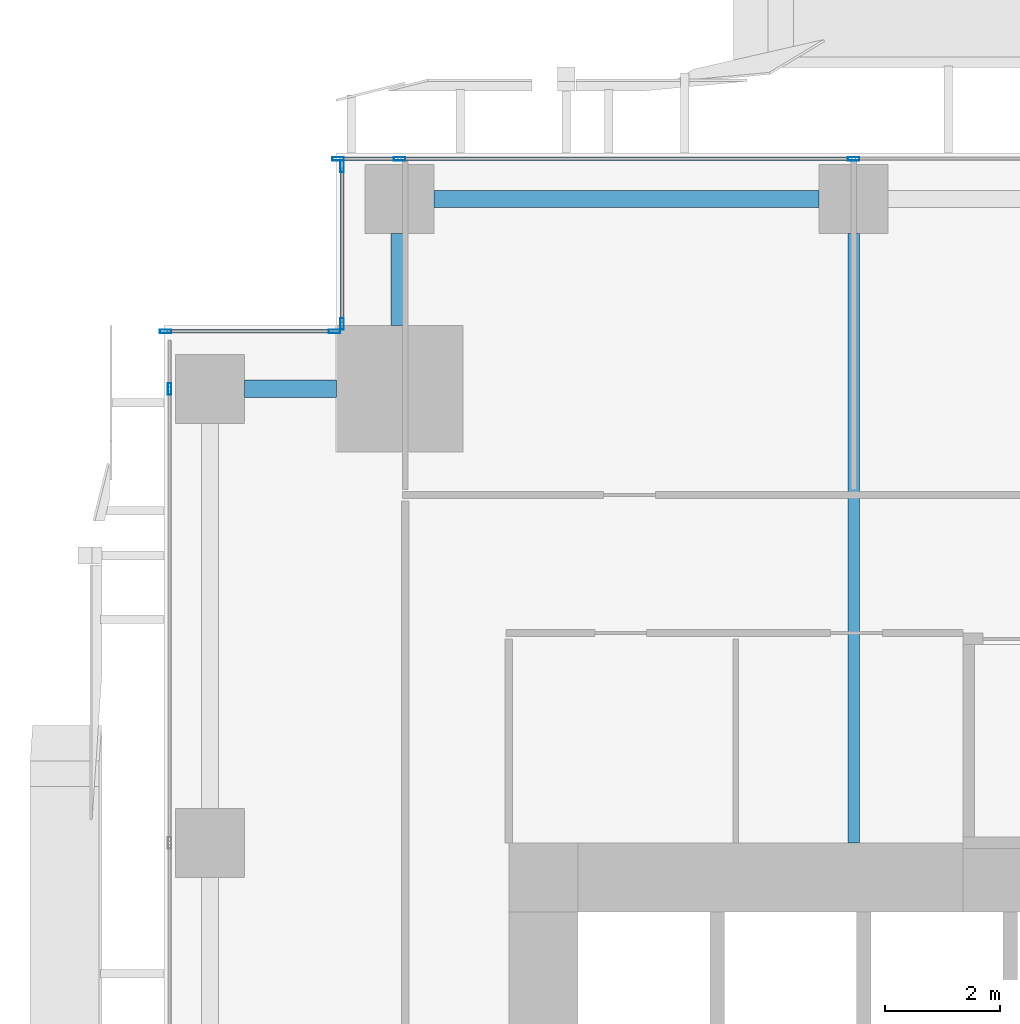
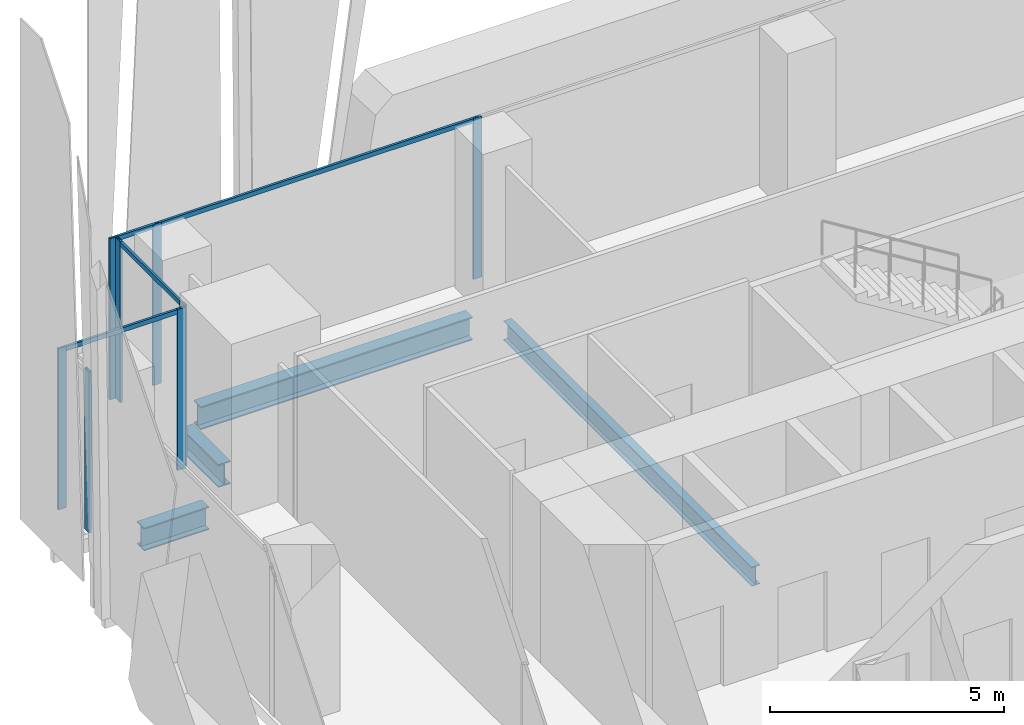
# One storey, part 14 of 36: 12 members, 4 beams, 4 elements without a shape of their own.
"""IFC4 building model written with IfcOpenShell, lengths in metres."""

from ifc_helpers import new_model, si_unit, direction, frame, origin, origin_2d, place, context, subcontext, project, spatial, hollow_rectangle, i_section, extrude, source, transform, mapped, material, material_profile, profile_set, type_object, element, aggregate, save


model = new_model("IFC4")

# Units and contexts
model_context = context("Model", 3, precision=1e-05, world=origin(), true_north=direction((0.0, 1.0)))
body_context = subcontext(model_context, "Body", "Model", "MODEL_VIEW")
ifc_project = project(units=[si_unit("LENGTHUNIT", "METRE"), si_unit("AREAUNIT", "SQUARE_METRE"), si_unit("VOLUMEUNIT", "CUBIC_METRE"), si_unit("PLANEANGLEUNIT", "RADIAN"), si_unit("MASSUNIT", "GRAM", prefix="KILO")], contexts=[model_context])

# Site, building, storey
site_placement = place(None, origin())
site = spatial("IfcSite", under=ifc_project, at=site_placement, CompositionType="ELEMENT")
building_placement = place(site_placement, origin())
building = spatial("IfcBuilding", under=site, at=building_placement, Name="Khomas Fold Tower", CompositionType="ELEMENT")
storey_placement = place(building_placement, frame((0.0, 0.0, 46.5)))
storey = spatial("IfcBuildingStorey", under=building, at=storey_placement, Name="L09", CompositionType="ELEMENT", Elevation=46.5)

# Beams
ifc_material_1 = material(Name="Steel S355", Category="steel")
ifc_material_profile_1 = material_profile(ifc_material_1, i_section(OverallWidth=0.199951171875, OverallDepth=0.5, WebThickness=0.01025390625, FlangeThickness=0.01611328125, at=origin_2d()), Name="IPE 500")
ifc_profile_set_1 = profile_set([ifc_material_profile_1], Name="Steel S355")
beam_type_1 = type_object("IfcBeamType", Name="IPE 500 beam JB5", PredefinedType="BEAM", material=ifc_profile_set_1)
shared_shape_1 = source(origin(), body_context, "Body", "SweptSolid", [
    extrude(i_section(OverallWidth=0.199951171875, OverallDepth=0.5, WebThickness=0.01025390625, FlangeThickness=0.01611328125, at=origin_2d()), origin(), (0.0, 0.0, 1.0), 10.60009765625),
])
beam_1_placement = place(storey_placement, frame((12.0, 42.0, -0.550048828125), z_axis=(0.0, 1.0, 0.0), x_axis=(-1.0, 0.0, 0.0)))
element("IfcBeam", 1, at=beam_1_placement, inside=storey, type_object=beam_type_1, Name="JB5", PredefinedType="BEAM", context=body_context, shape_type="MappedRepresentation", body=[
    mapped(shared_shape_1, transform((0.0, 0.0, 0.0))),
])
ifc_material_2 = material(Name="Steel S355", Category="steel")
ifc_material_profile_2 = material_profile(ifc_material_2, i_section(OverallWidth=0.300048828125, OverallDepth=0.60009765625, WebThickness=0.015380859375, FlangeThickness=0.030029296875, at=origin_2d()), Name="HE 600 B")
ifc_profile_set_2 = profile_set([ifc_material_profile_2], Name="Steel S355")
beam_type_2 = type_object("IfcBeamType", Name="HE 600 B spandrel SB1", PredefinedType="SPANDREL", material=ifc_profile_set_2)
shared_shape_2 = source(origin(), body_context, "Body", "SweptSolid", [
    extrude(i_section(OverallWidth=0.300048828125, OverallDepth=0.60009765625, WebThickness=0.015380859375, FlangeThickness=0.030029296875, at=origin_2d()), origin(), (0.0, 0.0, 1.0), 6.699951171875),
])
beam_2_placement = place(storey_placement, frame((4.699951171875, 53.199951171875, -0.60009765625), z_axis=(1.0, 0.0, 0.0), x_axis=(0.0, 1.0, 0.0)))
element("IfcBeam", 2, at=beam_2_placement, inside=storey, type_object=beam_type_2, Name="SB1", PredefinedType="SPANDREL", context=body_context, shape_type="MappedRepresentation", body=[
    mapped(shared_shape_2, transform((0.0, 0.0, 0.0))),
])
shared_shape_3 = source(origin(), body_context, "Body", "SweptSolid", [
    extrude(i_section(OverallWidth=0.300048828125, OverallDepth=0.60009765625, WebThickness=0.015380859375, FlangeThickness=0.030029296875, at=origin_2d()), origin(), (0.0, 0.0, 1.0), 1.60009765625),
])
for number, where, z_axis, x_axis, name in (
    (3, (4.10009765625, 51.0, -0.60009765625), (0.0, 1.0, 0.0), (-1.0, 0.0, 0.0), "SB1"),
    (4, (1.39990234375, 49.89990234375, -0.60009765625), (1.0, 0.0, 0.0), (0.0, 1.0, 0.0), "SB1"),
):
    element("IfcBeam", number, at=place(storey_placement, frame(where, z_axis=z_axis, x_axis=x_axis)), inside=storey, type_object=beam_type_2, Name=name, PredefinedType="SPANDREL", context=body_context, shape_type="MappedRepresentation", body=[
        mapped(shared_shape_3, transform((0.0, 0.0, 0.0))),
    ])

# Curtain wall, members
ifc_material_3 = material(Name="Aluminium framed double glazing", Category="aluminium")
curtain_wall_type = type_object("IfcCurtainWallType", Name="SK-Unitised clear-glass wall, growing floors CW1", PredefinedType="NOTDEFINED", material=ifc_material_3)
curtain_wall_1_placement = place(storey_placement, origin())
curtain_wall_1 = element("IfcCurtainWall", 5, at=curtain_wall_1_placement, inside=storey, type_object=curtain_wall_type, Name="CW1 run L09 06-1", PredefinedType="NOTDEFINED")
ifc_material_4 = material(Name="Aluminium", Category="aluminium")
ifc_material_profile_3 = material_profile(ifc_material_4, hollow_rectangle(XDim=0.06005859375, YDim=0.1201171875, WallThickness=0.00390625, at=origin_2d()), Name="SK-Unitised clear-glass wall, growing floors transom CW1-T")
ifc_profile_set_3 = profile_set([ifc_material_profile_3], Name="Aluminium")
member_type_1 = type_object("IfcMemberType", Name="SK-Unitised clear-glass wall, growing floors transom CW1-T", PredefinedType="USERDEFINED", material=ifc_profile_set_3)
shared_shape_4 = source(origin(), body_context, "Body", "SweptSolid", [
    extrude(hollow_rectangle(XDim=0.06005859375, YDim=0.1201171875, WallThickness=0.00390625, at=origin_2d()), origin(), (0.0, 0.0, 1.0), 7.840087890625),
])
member_1_placement = place(storey_placement, frame((11.969970703125, 53.89990234375, 4.139892578125), z_axis=(-1.0, 0.0, 0.0), x_axis=(0.0, -1.0, 0.0)))
member_1 = element("IfcMember", 6, at=member_1_placement, type_object=member_type_1, Name="CW1 transom 4", ObjectType="TRANSOM", PredefinedType="USERDEFINED", context=body_context, shape_type="MappedRepresentation", body=[
    mapped(shared_shape_4, transform((0.0, 0.0, 0.0))),
])
shared_shape_5 = source(origin(), body_context, "Body", "SweptSolid", [
    extrude(hollow_rectangle(XDim=0.06005859375, YDim=0.1201171875, WallThickness=0.00390625, at=origin_2d()), origin(), (0.0, 0.0, 1.0), 1.010009765625),
])
member_2_placement = place(storey_placement, frame((4.070068359375, 53.89990234375, 4.139892578125), z_axis=(-1.0, 0.0, 0.0), x_axis=(0.0, -1.0, 0.0)))
member_2 = element("IfcMember", 7, at=member_2_placement, type_object=member_type_1, Name="CW1 transom 5", ObjectType="TRANSOM", PredefinedType="USERDEFINED", context=body_context, shape_type="MappedRepresentation", body=[
    mapped(shared_shape_5, transform((0.0, 0.0, 0.0))),
])

# Curtain wall, member
curtain_wall_2_placement = place(storey_placement, origin())
curtain_wall_2 = element("IfcCurtainWall", 8, at=curtain_wall_2_placement, inside=storey, type_object=curtain_wall_type, Name="CW1 corner return L09 07", PredefinedType="NOTDEFINED")
shared_shape_6 = source(origin(), body_context, "Body", "SweptSolid", [
    extrude(hollow_rectangle(XDim=0.06005859375, YDim=0.1201171875, WallThickness=0.00390625, at=origin_2d()), origin(), (0.0, 0.0, 1.0), 2.679931640625),
])
member_3_placement = place(storey_placement, frame((3.10009765625, 53.739990234375, 4.139892578125), z_axis=(0.0, -1.0, 0.0), x_axis=(1.0, 0.0, 0.0)))
member_3 = element("IfcMember", 9, at=member_3_placement, type_object=member_type_1, Name="CW1 transom 1", ObjectType="TRANSOM", PredefinedType="USERDEFINED", context=body_context, shape_type="MappedRepresentation", body=[
    mapped(shared_shape_6, transform((0.0, 0.0, 0.0))),
])

curtain_wall_3_placement = place(storey_placement, origin())
curtain_wall_3 = element("IfcCurtainWall", 10, at=curtain_wall_3_placement, inside=storey, type_object=curtain_wall_type, Name="CW1 corner return L09 08", PredefinedType="NOTDEFINED")
shared_shape_7 = source(origin(), body_context, "Body", "SweptSolid", [
    extrude(hollow_rectangle(XDim=0.06005859375, YDim=0.1201171875, WallThickness=0.00390625, at=origin_2d()), origin(), (0.0, 0.0, 1.0), 2.8798828125),
])
member_4_placement = place(storey_placement, frame((2.93994140625, 50.89990234375, 4.139892578125), z_axis=(-1.0, 0.0, 0.0), x_axis=(0.0, -1.0, 0.0)))
member_4 = element("IfcMember", 11, at=member_4_placement, type_object=member_type_1, Name="CW1 transom 1", ObjectType="TRANSOM", PredefinedType="USERDEFINED", context=body_context, shape_type="MappedRepresentation", body=[
    mapped(shared_shape_7, transform((0.0, 0.0, 0.0))),
])

# Member
ifc_material_5 = material(Name="Aluminium", Category="aluminium")
ifc_material_profile_4 = material_profile(ifc_material_5, hollow_rectangle(XDim=0.06005859375, YDim=0.199951171875, WallThickness=0.00390625, at=origin_2d()), Name="SK-Unitised clear-glass wall, growing floors mullion CW1-M")
ifc_profile_set_4 = profile_set([ifc_material_profile_4], Name="Aluminium")
member_type_2 = type_object("IfcMemberType", Name="SK-Unitised clear-glass wall, growing floors mullion CW1-M", PredefinedType="MULLION", material=ifc_profile_set_4)
shared_shape_8 = source(origin(), body_context, "Body", "SweptSolid", [
    extrude(hollow_rectangle(XDim=0.06005859375, YDim=0.199951171875, WallThickness=0.00390625, at=origin_2d()), origin(), (0.0, 0.0, 1.0), 4.199951171875),
])
member_5_placement = place(storey_placement, frame((12.0, 53.89990234375, 0.0), z_axis=(0.0, 0.0, 1.0), x_axis=(0.0, -1.0, 0.0)))
member_5 = element("IfcMember", 12, at=member_5_placement, type_object=member_type_2, Name="CW1 mullion 4", PredefinedType="MULLION", context=body_context, shape_type="MappedRepresentation", body=[
    mapped(shared_shape_8, transform((0.0, 0.0, 0.0))),
])

member_6_placement = place(storey_placement, frame((4.10009765625, 53.89990234375, 0.0), z_axis=(0.0, 0.0, 1.0), x_axis=(0.0, -1.0, 0.0)))
member_6 = element("IfcMember", 13, at=member_6_placement, type_object=member_type_2, Name="CW1 mullion 5", PredefinedType="MULLION", context=body_context, shape_type="MappedRepresentation", body=[
    mapped(shared_shape_8, transform((0.0, 0.0, 0.0))),
])

member_7_placement = place(storey_placement, frame((3.030029296875, 53.89990234375, 0.0), z_axis=(0.0, 0.0, 1.0), x_axis=(0.0, -1.0, 0.0)))
member_7 = element("IfcMember", 14, at=member_7_placement, type_object=member_type_2, Name="CW1 mullion 6", PredefinedType="MULLION", context=body_context, shape_type="MappedRepresentation", body=[
    mapped(shared_shape_8, transform((0.0, 0.0, 0.0))),
])

aggregate(curtain_wall_1, [member_5, member_6, member_7, member_1, member_2])

member_8_placement = place(storey_placement, frame((3.10009765625, 53.77001953125, 0.0), z_axis=(0.0, 0.0, 1.0), x_axis=(1.0, 0.0, 0.0)))
member_8 = element("IfcMember", 15, at=member_8_placement, type_object=member_type_2, Name="CW1 mullion 1", PredefinedType="MULLION", context=body_context, shape_type="MappedRepresentation", body=[
    mapped(shared_shape_8, transform((0.0, 0.0, 0.0))),
])

member_9_placement = place(storey_placement, frame((3.10009765625, 51.030029296875, 0.0), z_axis=(0.0, 0.0, 1.0), x_axis=(1.0, 0.0, 0.0)))
member_9 = element("IfcMember", 16, at=member_9_placement, type_object=member_type_2, Name="CW1 mullion 2", PredefinedType="MULLION", context=body_context, shape_type="MappedRepresentation", body=[
    mapped(shared_shape_8, transform((0.0, 0.0, 0.0))),
])

aggregate(curtain_wall_2, [member_8, member_9, member_3])

member_10_placement = place(storey_placement, frame((2.969970703125, 50.89990234375, 0.0), z_axis=(0.0, 0.0, 1.0), x_axis=(0.0, -1.0, 0.0)))
member_10 = element("IfcMember", 17, at=member_10_placement, type_object=member_type_2, Name="CW1 mullion 1", PredefinedType="MULLION", context=body_context, shape_type="MappedRepresentation", body=[
    mapped(shared_shape_8, transform((0.0, 0.0, 0.0))),
])

member_11_placement = place(storey_placement, frame((0.030029296875, 50.89990234375, 0.0), z_axis=(0.0, 0.0, 1.0), x_axis=(0.0, -1.0, 0.0)))
member_11 = element("IfcMember", 18, at=member_11_placement, type_object=member_type_2, Name="CW1 mullion 2", PredefinedType="MULLION", context=body_context, shape_type="MappedRepresentation", body=[
    mapped(shared_shape_8, transform((0.0, 0.0, 0.0))),
])

aggregate(curtain_wall_3, [member_10, member_11, member_4])

# Curtain wall, member
curtain_wall_4_placement = place(storey_placement, origin())
curtain_wall_4 = element("IfcCurtainWall", 19, at=curtain_wall_4_placement, inside=storey, type_object=curtain_wall_type, Name="CW1 run L09 09-0", PredefinedType="NOTDEFINED")
member_12_placement = place(storey_placement, frame((0.10009765625, 49.89990234375, 0.0), z_axis=(0.0, 0.0, 1.0), x_axis=(1.0, 0.0, 0.0)))
member_12 = element("IfcMember", 20, at=member_12_placement, type_object=member_type_2, Name="CW1 mullion 2", PredefinedType="MULLION", context=body_context, shape_type="MappedRepresentation", body=[
    mapped(shared_shape_8, transform((0.0, 0.0, 0.0))),
])
aggregate(curtain_wall_4, [member_12])

save(model, "model.ifc")
